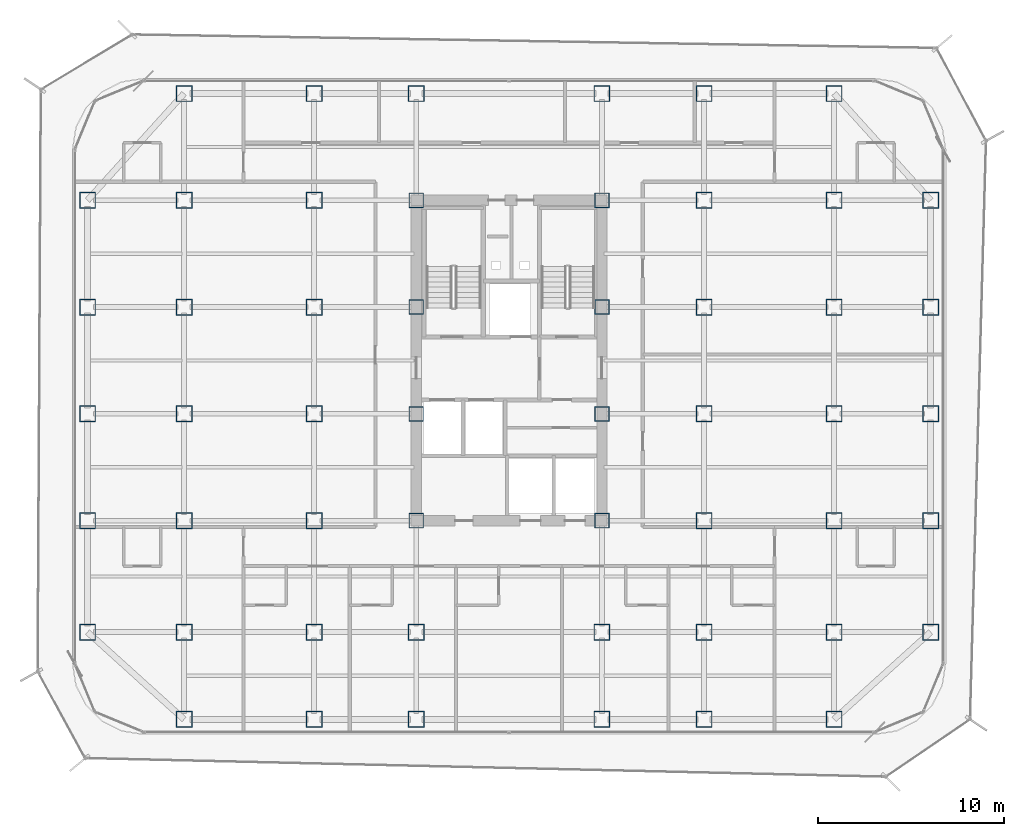
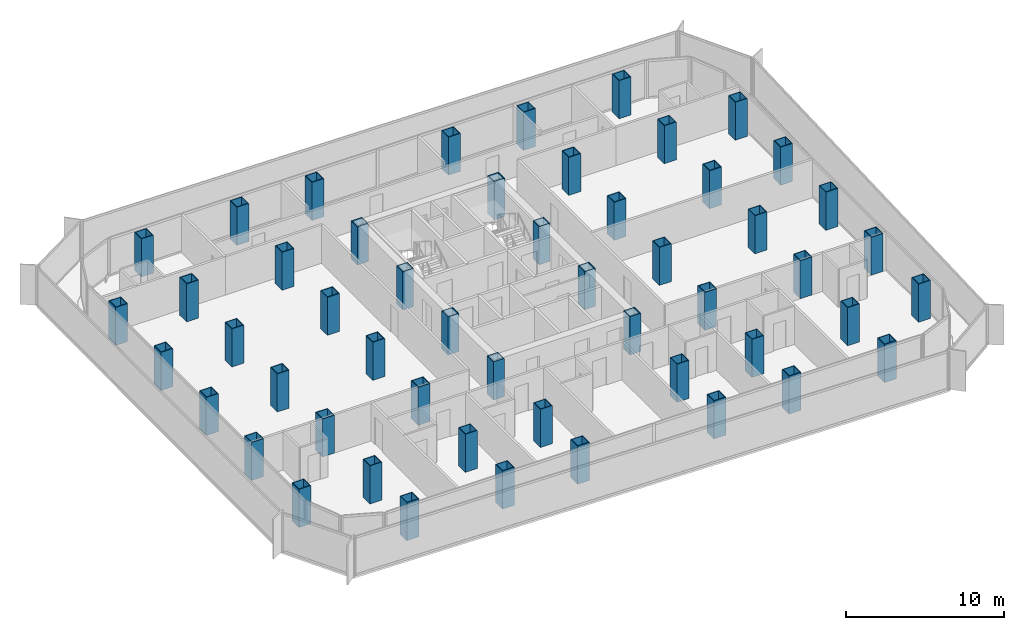
# One storey, part 1 of 21: 52 columns.
"""IFC4 building model written with IfcOpenShell, lengths in metres."""

from ifc_helpers import new_model, si_unit, direction, frame, origin, origin_2d, place, context, subcontext, project, spatial, hollow_rectangle, extrude, source, transform, mapped, material, material_profile, profile_set, type_object, element, save


model = new_model("IFC4")

# Units and contexts
model_context = context("Model", 3, precision=1e-05, world=origin(), true_north=direction((0.0, 1.0)))
body_context = subcontext(model_context, "Body", "Model", "MODEL_VIEW")
ifc_project = project(units=[si_unit("LENGTHUNIT", "METRE"), si_unit("AREAUNIT", "SQUARE_METRE"), si_unit("VOLUMEUNIT", "CUBIC_METRE"), si_unit("PLANEANGLEUNIT", "RADIAN"), si_unit("MASSUNIT", "GRAM", prefix="KILO")], contexts=[model_context])

# Site, building, storey
site_placement = place(None, origin())
site = spatial("IfcSite", under=ifc_project, at=site_placement, CompositionType="ELEMENT")
building_placement = place(site_placement, origin())
building = spatial("IfcBuilding", under=site, at=building_placement, Name="Kolveth Station Tower", CompositionType="ELEMENT")
storey_placement = place(building_placement, frame((0.0, 0.0, 102.300048828125)))
storey = spatial("IfcBuildingStorey", under=building, at=storey_placement, Name="L27", CompositionType="ELEMENT", Elevation=102.300048828125)

# Columns
ifc_material_1 = material(Name="Steel S460", Category="steel")
ifc_material_profile_1 = material_profile(ifc_material_1, hollow_rectangle(XDim=0.8798828125, YDim=0.8798828125, WallThickness=0.050048828125, at=origin_2d()), Name="BOX880x880x50")
ifc_profile_set_1 = profile_set([ifc_material_profile_1], Name="Steel S460")
column_type_1 = type_object("IfcColumnType", Name="Col_C4", PredefinedType="COLUMN", material=ifc_profile_set_1)
shared_shape_1 = source(origin(), body_context, "Body", "SweptSolid", [
    extrude(hollow_rectangle(XDim=0.8798828125, YDim=0.8798828125, WallThickness=0.050048828125, at=origin_2d()), origin(), (0.0, 0.0, 1.0), 2.949951171875),
])
for number, where, z_axis, x_axis, name in (
    (1, (6.0, 0.800048828125, 0.0), (0.0, 0.0, 1.0), (1.0, 0.0, 0.0), "L27 Tower Column S-X60"),
    (2, (6.0, 34.5, 0.0), (0.0, 0.0, 1.0), (1.0, 0.0, 0.0), "L27 Tower Column N-X60"),
    (3, (13.0, 0.800048828125, 0.0), (0.0, 0.0, 1.0), (1.0, 0.0, 0.0), "L27 Tower Column S-X130"),
    (4, (13.0, 34.5, 0.0), (0.0, 0.0, 1.0), (1.0, 0.0, 0.0), "L27 Tower Column N-X130"),
    (5, (18.5, 0.800048828125, 0.0), (0.0, 0.0, 1.0), (1.0, 0.0, 0.0), "L27 Tower Column S-X185"),
    (6, (18.5, 34.5, 0.0), (0.0, 0.0, 1.0), (1.0, 0.0, 0.0), "L27 Tower Column N-X185"),
    (7, (28.5, 0.800048828125, 0.0), (0.0, 0.0, 1.0), (1.0, 0.0, 0.0), "L27 Tower Column S-X285"),
    (8, (28.5, 34.5, 0.0), (0.0, 0.0, 1.0), (1.0, 0.0, 0.0), "L27 Tower Column N-X285"),
    (9, (34.0, 0.800048828125, 0.0), (0.0, 0.0, 1.0), (1.0, 0.0, 0.0), "L27 Tower Column S-X340"),
    (10, (34.0, 34.5, 0.0), (0.0, 0.0, 1.0), (1.0, 0.0, 0.0), "L27 Tower Column N-X340"),
    (11, (41.0, 0.800048828125, 0.0), (0.0, 0.0, 1.0), (1.0, 0.0, 0.0), "L27 Tower Column S-X410"),
    (12, (41.0, 34.5, 0.0), (0.0, 0.0, 1.0), (1.0, 0.0, 0.0), "L27 Tower Column N-X410"),
    (13, (0.800048828125, 5.5, 0.0), (0.0, 0.0, 1.0), (1.0, 0.0, 0.0), "L27 Tower Column W-Y55"),
    (14, (46.199951171875, 5.5, 0.0), (0.0, 0.0, 1.0), (1.0, 0.0, 0.0), "L27 Tower Column E-Y55"),
    (15, (0.800048828125, 11.5, 0.0), (0.0, 0.0, 1.0), (1.0, 0.0, 0.0), "L27 Tower Column W-Y115"),
    (16, (46.199951171875, 11.5, 0.0), (0.0, 0.0, 1.0), (1.0, 0.0, 0.0), "L27 Tower Column E-Y115"),
    (17, (0.800048828125, 17.25, 0.0), (0.0, 0.0, 1.0), (1.0, 0.0, 0.0), "L27 Tower Column W-Y172"),
    (18, (46.199951171875, 17.25, 0.0), (0.0, 0.0, 1.0), (1.0, 0.0, 0.0), "L27 Tower Column E-Y172"),
    (19, (0.800048828125, 23.0, 0.0), (0.0, 0.0, 1.0), (1.0, 0.0, 0.0), "L27 Tower Column W-Y230"),
    (20, (46.199951171875, 23.0, 0.0), (0.0, 0.0, 1.0), (1.0, 0.0, 0.0), "L27 Tower Column E-Y230"),
    (21, (0.800048828125, 28.75, 0.0), (0.0, 0.0, 1.0), (1.0, 0.0, 0.0), "L27 Tower Column W-Y287"),
    (22, (46.199951171875, 28.75, 0.0), (0.0, 0.0, 1.0), (1.0, 0.0, 0.0), "L27 Tower Column E-Y287"),
    (23, (6.0, 5.5, 0.0), (0.0, 0.0, 1.0), (1.0, 0.0, 0.0), "L27 Tower Column G-60-55"),
    (24, (6.0, 11.5, 0.0), (0.0, 0.0, 1.0), (1.0, 0.0, 0.0), "L27 Tower Column G-60-115"),
    (25, (6.0, 17.25, 0.0), (0.0, 0.0, 1.0), (1.0, 0.0, 0.0), "L27 Tower Column G-60-172"),
    (26, (6.0, 23.0, 0.0), (0.0, 0.0, 1.0), (1.0, 0.0, 0.0), "L27 Tower Column G-60-230"),
    (27, (6.0, 28.75, 0.0), (0.0, 0.0, 1.0), (1.0, 0.0, 0.0), "L27 Tower Column G-60-287"),
    (28, (13.0, 5.5, 0.0), (0.0, 0.0, 1.0), (1.0, 0.0, 0.0), "L27 Tower Column G-130-55"),
    (29, (13.0, 11.5, 0.0), (0.0, 0.0, 1.0), (1.0, 0.0, 0.0), "L27 Tower Column G-130-115"),
    (30, (13.0, 17.25, 0.0), (0.0, 0.0, 1.0), (1.0, 0.0, 0.0), "L27 Tower Column G-130-172"),
    (31, (13.0, 23.0, 0.0), (0.0, 0.0, 1.0), (1.0, 0.0, 0.0), "L27 Tower Column G-130-230"),
    (32, (13.0, 28.75, 0.0), (0.0, 0.0, 1.0), (1.0, 0.0, 0.0), "L27 Tower Column G-130-287"),
    (33, (18.5, 5.5, 0.0), (0.0, 0.0, 1.0), (1.0, 0.0, 0.0), "L27 Tower Column G-185-55"),
    (34, (28.5, 5.5, 0.0), (0.0, 0.0, 1.0), (1.0, 0.0, 0.0), "L27 Tower Column G-285-55"),
    (35, (34.0, 5.5, 0.0), (0.0, 0.0, 1.0), (1.0, 0.0, 0.0), "L27 Tower Column G-340-55"),
    (36, (34.0, 11.5, 0.0), (0.0, 0.0, 1.0), (1.0, 0.0, 0.0), "L27 Tower Column G-340-115"),
    (37, (34.0, 17.25, 0.0), (0.0, 0.0, 1.0), (1.0, 0.0, 0.0), "L27 Tower Column G-340-172"),
    (38, (34.0, 23.0, 0.0), (0.0, 0.0, 1.0), (1.0, 0.0, 0.0), "L27 Tower Column G-340-230"),
    (39, (34.0, 28.75, 0.0), (0.0, 0.0, 1.0), (1.0, 0.0, 0.0), "L27 Tower Column G-340-287"),
    (40, (41.0, 5.5, 0.0), (0.0, 0.0, 1.0), (1.0, 0.0, 0.0), "L27 Tower Column G-410-55"),
    (41, (41.0, 11.5, 0.0), (0.0, 0.0, 1.0), (1.0, 0.0, 0.0), "L27 Tower Column G-410-115"),
    (42, (41.0, 17.25, 0.0), (0.0, 0.0, 1.0), (1.0, 0.0, 0.0), "L27 Tower Column G-410-172"),
    (43, (41.0, 23.0, 0.0), (0.0, 0.0, 1.0), (1.0, 0.0, 0.0), "L27 Tower Column G-410-230"),
    (44, (41.0, 28.75, 0.0), (0.0, 0.0, 1.0), (1.0, 0.0, 0.0), "L27 Tower Column G-410-287"),
):
    element("IfcColumn", number, at=place(storey_placement, frame(where, z_axis=z_axis, x_axis=x_axis)), inside=storey, type_object=column_type_1, Name=name, PredefinedType="COLUMN", context=body_context, shape_type="MappedRepresentation", body=[
        mapped(shared_shape_1, transform((0.0, 0.0, 0.0), x_axis=(1.0, 0.0, 0.0), y_axis=(0.0, 1.0, 0.0), z_axis=(0.0, 0.0, 1.0), scale=1.0)),
    ])
ifc_material_2 = material(Name="Steel S355", Category="steel")
ifc_material_profile_2 = material_profile(ifc_material_2, hollow_rectangle(XDim=0.800048828125, YDim=0.800048828125, WallThickness=0.044921875, at=origin_2d()), Name="BOX800x800x45")
ifc_profile_set_2 = profile_set([ifc_material_profile_2], Name="Steel S355")
column_type_2 = type_object("IfcColumnType", Name="Col_C5", PredefinedType="COLUMN", material=ifc_profile_set_2)
shared_shape_2 = source(origin(), body_context, "Body", "SweptSolid", [
    extrude(hollow_rectangle(XDim=0.800048828125, YDim=0.800048828125, WallThickness=0.044921875, at=origin_2d()), origin(), (0.0, 0.0, 1.0), 2.949951171875),
])
for number, where, z_axis, x_axis, name in (
    (45, (18.5, 11.5, 0.0), (0.0, 0.0, 1.0), (1.0, 0.0, 0.0), "L27 Tower Column G-185-115"),
    (46, (18.5, 17.25, 0.0), (0.0, 0.0, 1.0), (1.0, 0.0, 0.0), "L27 Tower Column G-185-172"),
    (47, (18.5, 23.0, 0.0), (0.0, 0.0, 1.0), (1.0, 0.0, 0.0), "L27 Tower Column G-185-230"),
    (48, (18.5, 28.75, 0.0), (0.0, 0.0, 1.0), (1.0, 0.0, 0.0), "L27 Tower Column G-185-287"),
    (49, (28.5, 11.5, 0.0), (0.0, 0.0, 1.0), (1.0, 0.0, 0.0), "L27 Tower Column G-285-115"),
    (50, (28.5, 17.25, 0.0), (0.0, 0.0, 1.0), (1.0, 0.0, 0.0), "L27 Tower Column G-285-172"),
    (51, (28.5, 23.0, 0.0), (0.0, 0.0, 1.0), (1.0, 0.0, 0.0), "L27 Tower Column G-285-230"),
    (52, (28.5, 28.75, 0.0), (0.0, 0.0, 1.0), (1.0, 0.0, 0.0), "L27 Tower Column G-285-287"),
):
    element("IfcColumn", number, at=place(storey_placement, frame(where, z_axis=z_axis, x_axis=x_axis)), inside=storey, type_object=column_type_2, Name=name, PredefinedType="COLUMN", context=body_context, shape_type="MappedRepresentation", body=[
        mapped(shared_shape_2, transform((0.0, 0.0, 0.0), x_axis=(1.0, 0.0, 0.0), y_axis=(0.0, 1.0, 0.0), z_axis=(0.0, 0.0, 1.0), scale=1.0)),
    ])

save(model, "model.ifc")
